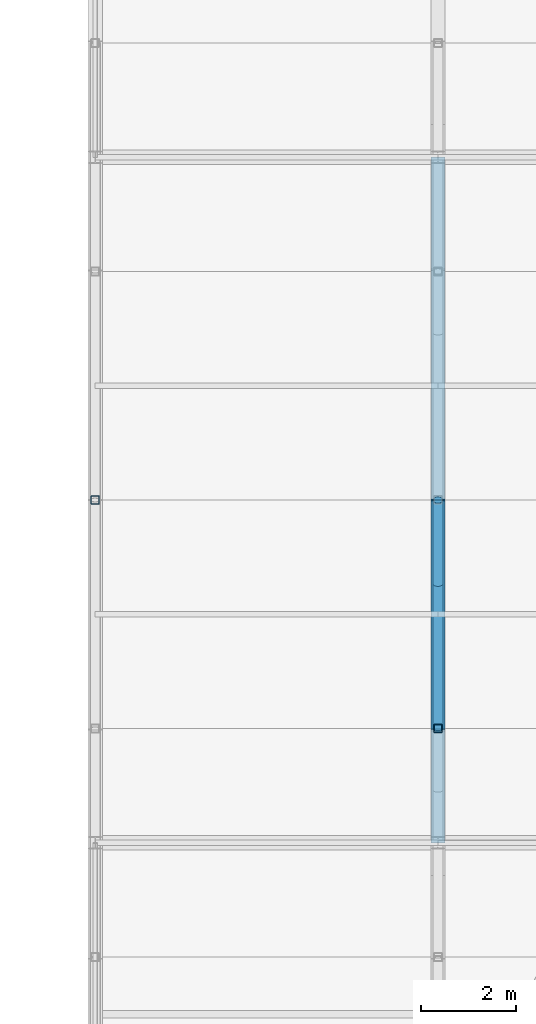
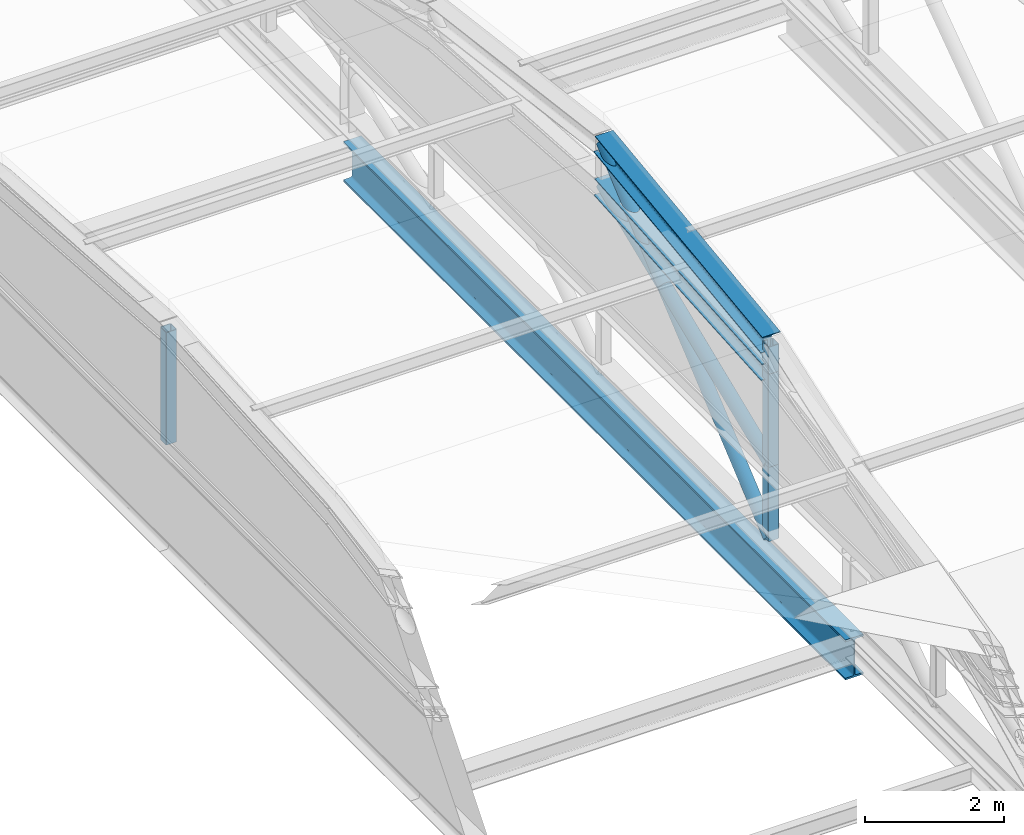
# One storey, part 15 of 103: 7 members, 1 beam.
"""IFC4 building model written with IfcOpenShell, lengths in metres."""

from ifc_helpers import new_model, si_unit, direction, frame, origin, origin_2d, place, context, subcontext, project, spatial, hollow_rectangle, hollow_circle, i_section, extrude, material, material_profile, profile_set, type_object, element, save


model = new_model("IFC4")

# Units and contexts
model_context = context("Model", 3, precision=1e-05, world=origin(), true_north=direction((0.0, 1.0)))
body_context = subcontext(model_context, "Body", "Model", "MODEL_VIEW")
ifc_project = project(units=[si_unit("LENGTHUNIT", "METRE"), si_unit("AREAUNIT", "SQUARE_METRE"), si_unit("VOLUMEUNIT", "CUBIC_METRE"), si_unit("PLANEANGLEUNIT", "RADIAN"), si_unit("MASSUNIT", "GRAM", prefix="KILO")], contexts=[model_context])

# Site, building, storey
site_placement = place(None, origin())
site = spatial("IfcSite", under=ifc_project, at=site_placement, CompositionType="ELEMENT")
building_placement = place(site_placement, origin())
building = spatial("IfcBuilding", under=site, at=building_placement, Name="Zlatovets Crest Museum", CompositionType="ELEMENT")
storey_placement = place(building_placement, frame((0.0, 0.0, 12.89990234375)))
storey = spatial("IfcBuildingStorey", under=building, at=storey_placement, Name="L03", CompositionType="ELEMENT", Elevation=12.89990234375)

# Beam
ifc_material = material(Name="Structural steel S355J2", Category="steel")
ifc_material_profile_1 = material_profile(ifc_material, i_section(OverallWidth=0.300048828125, OverallDepth=0.699951171875, WebThickness=0.01708984375, FlangeThickness=0.031982421875, FilletRadius=0.027099609375, at=origin_2d()), Name="HEB 700")
ifc_profile_set_1 = profile_set([ifc_material_profile_1], Name="Structural steel S355J2")
beam_type = type_object("IfcBeamType", Name="Beam_B-08", PredefinedType="BEAM", material=ifc_profile_set_1)
beam_placement = place(storey_placement, frame((7.199951171875, 7.199951171875, -0.56982421875), z_axis=(0.0, 1.0, 0.0), x_axis=(-1.0, 0.0, 0.0)))
element("IfcBeam", 1, at=beam_placement, inside=storey, type_object=beam_type, Name="V3 L03 Grid Beam B-08", PredefinedType="BEAM", context=body_context, shape_type="SweptSolid", body=[
    extrude(i_section(OverallWidth=0.300048828125, OverallDepth=0.699951171875, WebThickness=0.01708984375, FlangeThickness=0.031982421875, FilletRadius=0.027099609375, at=origin_2d()), origin(), (0.0, 0.0, 1.0), 14.400146484375),
])

# Members
ifc_material_profile_2 = material_profile(ifc_material, i_section(OverallWidth=0.300048828125, OverallDepth=0.31005859375, WebThickness=0.009033203125, FlangeThickness=0.015380859375, FilletRadius=0.027099609375, at=origin_2d()), Name="HEA 320")
ifc_profile_set_2 = profile_set([ifc_material_profile_2], Name="Structural steel S355J2")
member_type_1 = type_object("IfcMemberType", Name="Member_TM-02", PredefinedType="RAFTER", material=ifc_profile_set_2)
member_1_placement = place(storey_placement, frame((7.199951171875, 9.60009765625, 3.48388671875), z_axis=(0.0, 0.991859459137, 0.127337399535), x_axis=(-1.0, 0.0, 0.0)))
element("IfcMember", 2, at=member_1_placement, inside=storey, type_object=member_type_1, Name="V3 Art Nouveau Curved Vault Rib", PredefinedType="RAFTER", context=body_context, shape_type="SweptSolid", body=[
    extrude(i_section(OverallWidth=0.300048828125, OverallDepth=0.31005859375, WebThickness=0.009033203125, FlangeThickness=0.015380859375, FilletRadius=0.027099609375, at=origin_2d()), origin(), (0.0, 0.0, 1.0), 4.839111328125),
])
member_2_placement = place(storey_placement, frame((7.199951171875, 9.60009765625, 3.008544921875), z_axis=(0.0, 0.997477722489, 0.070980230608), x_axis=(-1.0, 0.0, 0.0)))
element("IfcMember", 3, at=member_2_placement, inside=storey, type_object=member_type_1, Name="V3 Art Nouveau Curved Vault Rib", PredefinedType="RAFTER", context=body_context, shape_type="SweptSolid", body=[
    extrude(i_section(OverallWidth=0.300048828125, OverallDepth=0.31005859375, WebThickness=0.009033203125, FlangeThickness=0.015380859375, FilletRadius=0.027099609375, at=origin_2d()), origin(), (0.0, 0.0, 1.0), 4.81201171875),
])
ifc_material_profile_3 = material_profile(ifc_material, hollow_rectangle(XDim=0.179931640625, YDim=0.179931640625, WallThickness=0.010009765625, InnerFilletRadius=0.010009765625, OuterFilletRadius=0.02001953125, at=origin_2d()), Name="SHS 180x180x10.0")
ifc_profile_set_3 = profile_set([ifc_material_profile_3], Name="Structural steel S355J2")
member_type_2 = type_object("IfcMemberType", Name="Member_TM-04", PredefinedType="STRUT", material=ifc_profile_set_3)
member_3_placement = place(storey_placement, frame((7.199951171875, 9.60009765625, 0.080078125), z_axis=(0.0, 0.0, 1.0), x_axis=(1.0, 0.0, 0.0)))
element("IfcMember", 4, at=member_3_placement, inside=storey, type_object=member_type_2, Name="V3 Barrel Vault Web Strut", PredefinedType="STRUT", context=body_context, shape_type="SweptSolid", body=[
    extrude(hollow_rectangle(XDim=0.179931640625, YDim=0.179931640625, WallThickness=0.010009765625, InnerFilletRadius=0.010009765625, OuterFilletRadius=0.02001953125, at=origin_2d()), origin(), (0.0, 0.0, 1.0), 3.40380859375),
])
member_4_placement = place(storey_placement, frame((0.0, 14.39990234375, 1.380126953125), z_axis=(0.0, 0.0, 1.0), x_axis=(1.0, 0.0, 0.0)))
element("IfcMember", 5, at=member_4_placement, inside=storey, type_object=member_type_2, Name="V3 Barrel Vault Web Strut", PredefinedType="STRUT", context=body_context, shape_type="SweptSolid", body=[
    extrude(hollow_rectangle(XDim=0.179931640625, YDim=0.179931640625, WallThickness=0.010009765625, InnerFilletRadius=0.010009765625, OuterFilletRadius=0.02001953125, at=origin_2d()), origin(), (0.0, 0.0, 1.0), 1.969970703125),
])
member_5_placement = place(storey_placement, frame((7.199951171875, 9.60009765625, 1.380126953125), z_axis=(0.0, 0.0, 1.0), x_axis=(1.0, 0.0, 0.0)))
element("IfcMember", 6, at=member_5_placement, inside=storey, type_object=member_type_2, Name="V3 Barrel Vault Web Strut", PredefinedType="STRUT", context=body_context, shape_type="SweptSolid", body=[
    extrude(hollow_rectangle(XDim=0.179931640625, YDim=0.179931640625, WallThickness=0.010009765625, InnerFilletRadius=0.010009765625, OuterFilletRadius=0.02001953125, at=origin_2d()), origin(), (0.0, 0.0, 1.0), 1.62841796875),
])
ifc_material_profile_4 = material_profile(ifc_material, hollow_circle(Radius=0.109619140625, WallThickness=0.010009765625, at=origin_2d()), Name="CHS 219.1x10.0")
ifc_profile_set_4 = profile_set([ifc_material_profile_4], Name="Structural steel S355J2")
member_type_3 = type_object("IfcMemberType", Name="Member_TM-05", PredefinedType="BRACE", material=ifc_profile_set_4)
member_6_placement = place(storey_placement, frame((7.199951171875, 9.60009765625, 0.080078125), z_axis=(0.0, 0.76663357033, 0.642084861091), x_axis=(-1.0, 0.0, 0.0)))
element("IfcMember", 7, at=member_6_placement, inside=storey, type_object=member_type_3, Name="V3 Barrel Vault Web Diagonal", PredefinedType="BRACE", context=body_context, shape_type="SweptSolid", body=[
    extrude(hollow_circle(Radius=0.109619140625, WallThickness=0.010009765625, at=origin_2d()), origin(), (0.0, 0.0, 1.0), 6.260986328125),
])
member_7_placement = place(storey_placement, frame((7.199951171875, 9.60009765625, 1.380126953125), z_axis=(0.0, 0.925113105648, 0.37969164036), x_axis=(-1.0, 0.0, 0.0)))
element("IfcMember", 8, at=member_7_placement, inside=storey, type_object=member_type_3, Name="V3 Barrel Vault Web Diagonal", PredefinedType="BRACE", context=body_context, shape_type="SweptSolid", body=[
    extrude(hollow_circle(Radius=0.109619140625, WallThickness=0.010009765625, at=origin_2d()), origin(), (0.0, 0.0, 1.0), 5.188232421875),
])

save(model, "model.ifc")
